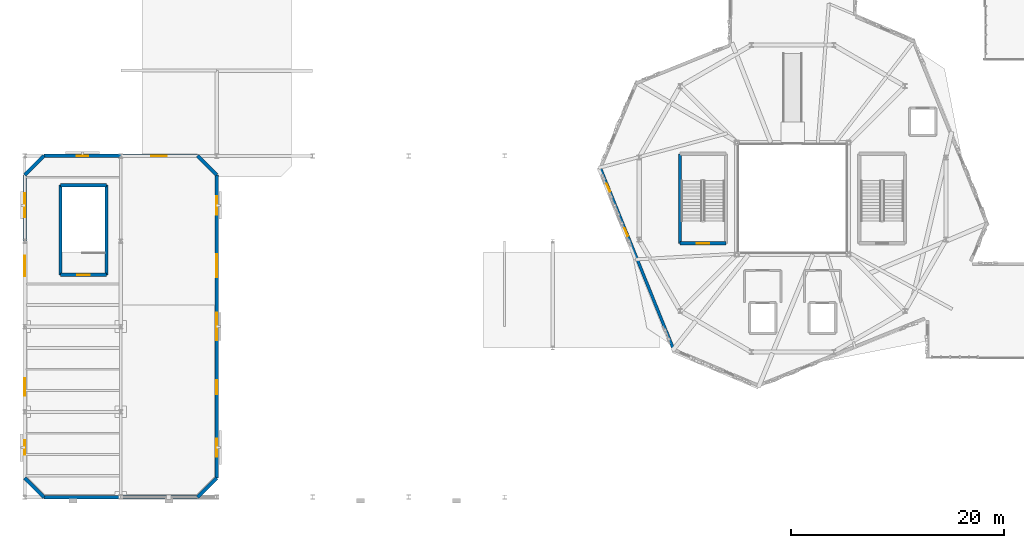
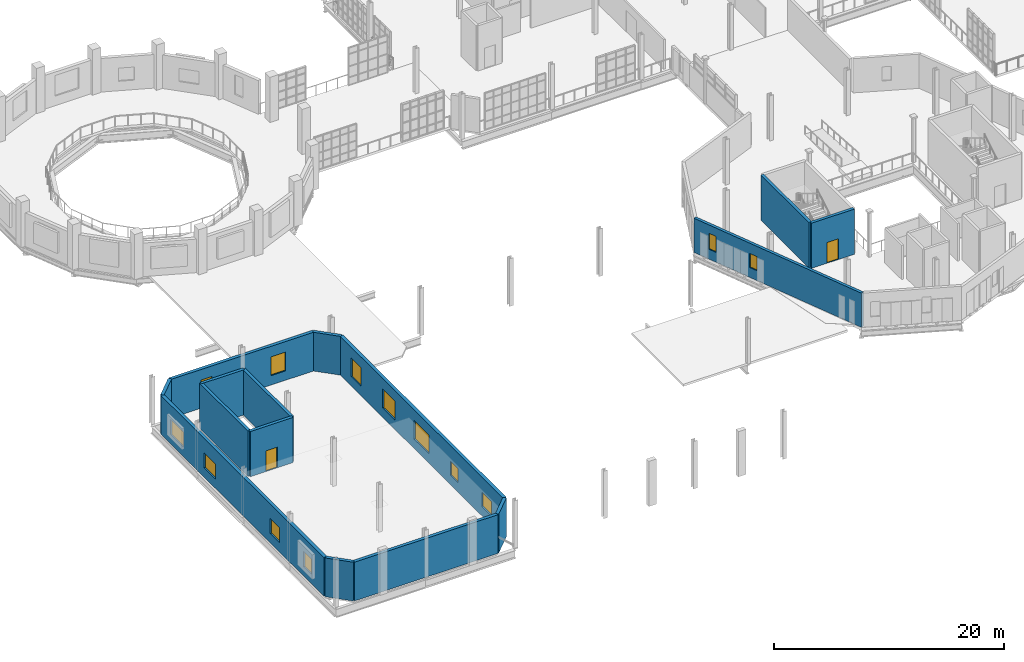
# One storey, part 97 of 122: 15 walls, 13 windows, 2 doors, 15 openings.
"""IFC4 building model written with IfcOpenShell, lengths in metres."""

from ifc_helpers import new_model, si_unit, direction, frame, frame_2d, origin, place, context, subcontext, project, spatial, rectangle, extrude, material, layer, layer_set, type_object, element, fill, save


model = new_model("IFC4")

# Units and contexts
model_context = context("Model", 3, precision=1e-05, world=origin(), true_north=direction((0.0, 1.0)))
body_context = subcontext(model_context, "Body", "Model", "MODEL_VIEW")
ifc_project = project(units=[si_unit("LENGTHUNIT", "METRE"), si_unit("AREAUNIT", "SQUARE_METRE"), si_unit("VOLUMEUNIT", "CUBIC_METRE"), si_unit("PLANEANGLEUNIT", "RADIAN"), si_unit("MASSUNIT", "GRAM", prefix="KILO"), si_unit("THERMODYNAMICTEMPERATUREUNIT", "KELVIN"), si_unit("POWERUNIT", "WATT")], contexts=[model_context])

# Site, building, storey
site_placement = place(None, origin())
site = spatial("IfcSite", under=ifc_project, at=site_placement, CompositionType="ELEMENT")
building_placement = place(site_placement, origin())
building = spatial("IfcBuilding", under=site, at=building_placement, Name="Zelmaris Science Centre", CompositionType="ELEMENT")
storey_placement = place(building_placement, frame((0.0, 0.0, 10.800048828125)))
storey = spatial("IfcBuildingStorey", under=building, at=storey_placement, Name="L02", CompositionType="ELEMENT", Elevation=10.800048828125)

# Wall, opening, door
ifc_material_1 = material(Name="Concrete C40/50", Category="concrete")
ifc_layer_1 = layer(ifc_material_1, 0.300048828125, Name="Concrete C40/50")
ifc_layer_set_1 = layer_set([ifc_layer_1], Name="Concrete C40/50")
wall_type_1 = type_object("IfcWallType", Name="Core Shear Wall CW-S1 300mm", PredefinedType="SOLIDWALL", material=ifc_layer_set_1)
wall_1_placement = place(storey_placement, frame((74.75, 31.800048828125, 0.0), z_axis=(0.0, 0.0, 1.0), x_axis=(-1.0, 0.0, 0.0)))
wall_1 = element("IfcWall", 1, at=wall_1_placement, inside=storey, type_object=wall_type_1, Name="L02 ST-1 core shear wall near", PredefinedType="SOLIDWALL", context=body_context, shape_type="SweptSolid", body=[
    extrude(rectangle(XDim=4.300048828125, YDim=0.300048828125, at=frame_2d((2.14990234375, 0.0))), origin(), (0.0, 0.0, 1.0), 4.800048828125),
])
opening_1_placement = place(wall_1_placement, frame((1.574951171875, 0.0, 0.0)))
opening_1 = element("IfcOpeningElement", 2, at=opening_1_placement, cuts=wall_1, Name="Opening D-FD90", PredefinedType="OPENING", context=body_context, shape_type="SweptSolid", body=[
    extrude(rectangle(XDim=1.14990234375, YDim=2.199951171875, at=frame_2d((0.574951171875, 1.10009765625))), frame((0.0, 0.159912109375, 0.0), z_axis=(0.0, -1.0, 0.0), x_axis=(1.0, 0.0, 0.0)), (0.0, 0.0, 1.0), 0.320068359375),
])
ifc_material_2 = material(Name="Steel ASTM A36", Category="steel")
door_type = type_object("IfcDoorType", Name="Interior Door D-FD90 1150x2200", OperationType="NOTDEFINED", PredefinedType="DOOR", material=ifc_material_2)
door_1_placement = place(opening_1_placement, origin())
door_1 = element("IfcDoor", 3, at=door_1_placement, inside=storey, type_object=door_type, Name="L02 ST-1 exit stair fire door", OperationType="SINGLE_SWING_RIGHT", OverallHeight=2.199951171875, OverallWidth=1.14990234375, PredefinedType="DOOR", context=body_context, shape_type="SweptSolid", body=[
    extrude(rectangle(XDim=1.14990234375, YDim=2.199951171875, at=frame_2d((0.574951171875, 1.10009765625))), frame((0.0, 0.02490234375, 0.0), z_axis=(0.0, -1.0, 0.0), x_axis=(1.0, 0.0, 0.0)), (0.0, 0.0, 1.0), 0.050048828125),
])
fill(opening_1, door_1)

# Wall
wall_2_placement = place(storey_placement, frame((70.449951171875, 31.800048828125, 0.0), z_axis=(0.0, 0.0, 1.0), x_axis=(0.0, 1.0, 0.0)))
element("IfcWall", 4, at=wall_2_placement, inside=storey, type_object=wall_type_1, Name="L02 ST-1 core shear wall west", PredefinedType="SOLIDWALL", context=body_context, shape_type="SweptSolid", body=[
    extrude(rectangle(XDim=8.39990234375, YDim=0.300048828125, at=frame_2d((4.199951171875, 0.0))), origin(), (0.0, 0.0, 1.0), 4.800048828125),
])

# Wall, opening, door
wall_3_placement = place(storey_placement, frame((16.64990234375, 28.85009765625, 0.0), z_axis=(0.0, 0.0, 1.0), x_axis=(-1.0, 0.0, 0.0)))
wall_3 = element("IfcWall", 5, at=wall_3_placement, inside=storey, type_object=wall_type_1, Name="L02 ST-6 core shear wall near", PredefinedType="SOLIDWALL", context=body_context, shape_type="SweptSolid", body=[
    extrude(rectangle(XDim=4.2998046875, YDim=0.300048828125, at=frame_2d((2.14990234375, 0.0))), origin(), (0.0, 0.0, 1.0), 4.800048828125),
])
opening_2_placement = place(wall_3_placement, frame((1.574951171875, 0.0, 0.0)))
opening_2 = element("IfcOpeningElement", 6, at=opening_2_placement, cuts=wall_3, Name="Opening D-FD90", PredefinedType="OPENING", context=body_context, shape_type="SweptSolid", body=[
    extrude(rectangle(XDim=1.14990234375, YDim=2.199951171875, at=frame_2d((0.574951171875, 1.10009765625))), frame((0.0, 0.159912109375, 0.0), z_axis=(0.0, -1.0, 0.0), x_axis=(1.0, 0.0, 0.0)), (0.0, 0.0, 1.0), 0.320068359375),
])
door_2_placement = place(opening_2_placement, origin())
door_2 = element("IfcDoor", 7, at=door_2_placement, inside=storey, type_object=door_type, Name="L02 ST-6 exit stair fire door", OperationType="SINGLE_SWING_LEFT", OverallHeight=2.199951171875, OverallWidth=1.14990234375, PredefinedType="DOOR", context=body_context, shape_type="SweptSolid", body=[
    extrude(rectangle(XDim=1.14990234375, YDim=2.199951171875, at=frame_2d((0.574951171875, 1.10009765625))), frame((0.0, 0.02490234375, 0.0), z_axis=(0.0, -1.0, 0.0), x_axis=(1.0, 0.0, 0.0)), (0.0, 0.0, 1.0), 0.050048828125),
])
fill(opening_2, door_2)

# Walls
wall_4_placement = place(storey_placement, frame((16.64990234375, 28.85009765625, 0.0), z_axis=(0.0, 0.0, 1.0), x_axis=(0.0, 1.0, 0.0)))
element("IfcWall", 8, at=wall_4_placement, inside=storey, type_object=wall_type_1, Name="L02 ST-6 core shear wall east", PredefinedType="SOLIDWALL", context=body_context, shape_type="SweptSolid", body=[
    extrude(rectangle(XDim=8.39990234375, YDim=0.300048828125, at=frame_2d((4.199951171875, 0.0))), origin(), (0.0, 0.0, 1.0), 4.800048828125),
])
wall_5_placement = place(storey_placement, frame((16.64990234375, 37.25, 0.0), z_axis=(0.0, 0.0, 1.0), x_axis=(-1.0, 0.0, 0.0)))
element("IfcWall", 9, at=wall_5_placement, inside=storey, type_object=wall_type_1, Name="L02 ST-6 core shear wall far", PredefinedType="SOLIDWALL", context=body_context, shape_type="SweptSolid", body=[
    extrude(rectangle(XDim=4.2998046875, YDim=0.300048828125, at=frame_2d((2.14990234375, 0.0))), origin(), (0.0, 0.0, 1.0), 4.800048828125),
])
wall_6_placement = place(storey_placement, frame((12.35009765625, 28.85009765625, 0.0), z_axis=(0.0, 0.0, 1.0), x_axis=(0.0, 1.0, 0.0)))
element("IfcWall", 10, at=wall_6_placement, inside=storey, type_object=wall_type_1, Name="L02 ST-6 core shear wall west", PredefinedType="SOLIDWALL", context=body_context, shape_type="SweptSolid", body=[
    extrude(rectangle(XDim=8.39990234375, YDim=0.300048828125, at=frame_2d((4.199951171875, 0.0))), origin(), (0.0, 0.0, 1.0), 4.800048828125),
])

# Wall, openings, windows
ifc_material_3 = material(Name="Precast concrete C40/50", Category="concrete")
ifc_layer_2 = layer(ifc_material_3, 0.320068359375, Name="Precast concrete C40/50")
ifc_layer_set_2 = layer_set([ifc_layer_2], Name="Precast concrete C40/50")
wall_type_2 = type_object("IfcWallType", Name="Exterior Wall EW-03 320mm", PredefinedType="SOLIDWALL", material=ifc_layer_set_2)
wall_7_placement = place(storey_placement, frame((9.0, 9.800048828125, 0.0), z_axis=(0.0, 0.0, 1.0), x_axis=(0.0, 1.0, 0.0)))
wall_7 = element("IfcWall", 11, at=wall_7_placement, inside=storey, type_object=wall_type_2, Name="L02 Exterior wall 110", PredefinedType="SOLIDWALL", context=body_context, shape_type="SweptSolid", body=[
    extrude(rectangle(XDim=28.39990234375, YDim=0.320068359375, at=frame_2d((14.199951171875, 0.0))), origin(), (0.0, 0.0, 1.0), 4.119873046875),
])
opening_3_placement = place(wall_7_placement, frame((2.1650390625, 0.0, 1.0)))
opening_3 = element("IfcOpeningElement", 12, at=opening_3_placement, cuts=wall_7, Name="Opening W-14", PredefinedType="OPENING", context=body_context, shape_type="SweptSolid", body=[
    extrude(rectangle(XDim=1.35009765625, YDim=1.60009765625, at=frame_2d((0.675048828125, 0.800048828125))), frame((0.0, 0.169921875, 0.0), z_axis=(0.0, -1.0, 0.0), x_axis=(1.0, 0.0, 0.0)), (0.0, 0.0, 1.0), 0.340087890625),
])
opening_4_placement = place(wall_7_placement, frame((7.695068359375, 0.0, 1.0)))
opening_4 = element("IfcOpeningElement", 13, at=opening_4_placement, cuts=wall_7, Name="Opening W-15", PredefinedType="OPENING", context=body_context, shape_type="SweptSolid", body=[
    extrude(rectangle(XDim=1.64990234375, YDim=1.60009765625, at=frame_2d((0.824951171875, 0.800048828125))), frame((0.0, 0.169921875, 0.0), z_axis=(0.0, -1.0, 0.0), x_axis=(1.0, 0.0, 0.0)), (0.0, 0.0, 1.0), 0.340087890625),
])
opening_5_placement = place(wall_7_placement, frame((18.905029296875, 0.0, 1.0)))
opening_5 = element("IfcOpeningElement", 14, at=opening_5_placement, cuts=wall_7, Name="Opening W-16", PredefinedType="OPENING", context=body_context, shape_type="SweptSolid", body=[
    extrude(rectangle(XDim=1.949951171875, YDim=1.60009765625, at=frame_2d((0.97509765625, 0.800048828125))), frame((0.0, 0.169921875, 0.0), z_axis=(0.0, -1.0, 0.0), x_axis=(1.0, 0.0, 0.0)), (0.0, 0.0, 1.0), 0.340087890625),
])
opening_6_placement = place(wall_7_placement, frame((24.434814453125, 0.0, 1.0)))
opening_6 = element("IfcOpeningElement", 15, at=opening_6_placement, cuts=wall_7, Name="Opening W-17", PredefinedType="OPENING", context=body_context, shape_type="SweptSolid", body=[
    extrude(rectangle(XDim=2.25, YDim=1.60009765625, at=frame_2d((1.125, 0.800048828125))), frame((0.0, 0.169921875, 0.0), z_axis=(0.0, -1.0, 0.0), x_axis=(1.0, 0.0, 0.0)), (0.0, 0.0, 1.0), 0.340087890625),
])
ifc_material_4 = material(Name="Laminated hurricane-rated low-E insulated glazing", Category="glass")
window_type_1 = type_object("IfcWindowType", Name="Window W-14 1350x1600", PartitioningType="SINGLE_PANEL", PredefinedType="WINDOW", material=ifc_material_4)
window_1_placement = place(opening_3_placement, origin())
window_1 = element("IfcWindow", 16, at=window_1_placement, inside=storey, type_object=window_type_1, Name="L02 Facade window 62", OverallHeight=1.60009765625, OverallWidth=1.35009765625, PartitioningType="SINGLE_PANEL", PredefinedType="WINDOW", context=body_context, shape_type="SweptSolid", body=[
    extrude(rectangle(XDim=1.35009765625, YDim=1.60009765625, at=frame_2d((0.675048828125, 0.800048828125))), frame((0.0, 0.030029296875, 0.0), z_axis=(0.0, -1.0, 0.0), x_axis=(1.0, 0.0, 0.0)), (0.0, 0.0, 1.0), 0.06005859375),
])
fill(opening_3, window_1)
window_type_2 = type_object("IfcWindowType", Name="Window W-15 1650x1600", PartitioningType="SINGLE_PANEL", PredefinedType="WINDOW", material=ifc_material_4)
window_2_placement = place(opening_4_placement, origin())
window_2 = element("IfcWindow", 17, at=window_2_placement, inside=storey, type_object=window_type_2, Name="L02 Facade window 63", OverallHeight=1.60009765625, OverallWidth=1.64990234375, PartitioningType="SINGLE_PANEL", PredefinedType="WINDOW", context=body_context, shape_type="SweptSolid", body=[
    extrude(rectangle(XDim=1.64990234375, YDim=1.60009765625, at=frame_2d((0.824951171875, 0.800048828125))), frame((0.0, 0.030029296875, 0.0), z_axis=(0.0, -1.0, 0.0), x_axis=(1.0, 0.0, 0.0)), (0.0, 0.0, 1.0), 0.06005859375),
])
fill(opening_4, window_2)
window_type_3 = type_object("IfcWindowType", Name="Window W-16 1950x1600", PartitioningType="SINGLE_PANEL", PredefinedType="WINDOW", material=ifc_material_4)
window_3_placement = place(opening_5_placement, origin())
window_3 = element("IfcWindow", 18, at=window_3_placement, inside=storey, type_object=window_type_3, Name="L02 Facade window 64", OverallHeight=1.60009765625, OverallWidth=1.949951171875, PartitioningType="SINGLE_PANEL", PredefinedType="WINDOW", context=body_context, shape_type="SweptSolid", body=[
    extrude(rectangle(XDim=1.949951171875, YDim=1.60009765625, at=frame_2d((0.97509765625, 0.800048828125))), frame((0.0, 0.030029296875, 0.0), z_axis=(0.0, -1.0, 0.0), x_axis=(1.0, 0.0, 0.0)), (0.0, 0.0, 1.0), 0.06005859375),
])
fill(opening_5, window_3)
window_type_4 = type_object("IfcWindowType", Name="Window W-17 2250x1600", PartitioningType="SINGLE_PANEL", PredefinedType="WINDOW", material=ifc_material_4)
window_4_placement = place(opening_6_placement, origin())
window_4 = element("IfcWindow", 19, at=window_4_placement, inside=storey, type_object=window_type_4, Name="L02 Facade window 65", OverallHeight=1.60009765625, OverallWidth=2.25, PartitioningType="SINGLE_PANEL", PredefinedType="WINDOW", context=body_context, shape_type="SweptSolid", body=[
    extrude(rectangle(XDim=2.25, YDim=1.60009765625, at=frame_2d((1.125, 0.800048828125))), frame((0.0, 0.030029296875, 0.0), z_axis=(0.0, -1.0, 0.0), x_axis=(1.0, 0.0, 0.0)), (0.0, 0.0, 1.0), 0.06005859375),
])
fill(opening_6, window_4)

# Wall
wall_8_placement = place(storey_placement, frame((9.0, 38.199951171875, 0.0), z_axis=(0.0, 0.0, 1.0), x_axis=(0.707106781187, 0.707106781187, 0.0)))
element("IfcWall", 20, at=wall_8_placement, inside=storey, type_object=wall_type_2, Name="L02 Exterior wall 111", PredefinedType="SOLIDWALL", context=body_context, shape_type="SweptSolid", body=[
    extrude(rectangle(XDim=2.545654296875, YDim=0.320068359375, at=frame_2d((1.27294921875, 0.0))), origin(), (0.0, 0.0, 1.0), 4.119873046875),
])

# Wall, openings, windows
wall_9_placement = place(storey_placement, frame((10.800048828125, 40.0, 0.0), z_axis=(0.0, 0.0, 1.0), x_axis=(1.0, 0.0, 0.0)))
wall_9 = element("IfcWall", 21, at=wall_9_placement, inside=storey, type_object=wall_type_2, Name="L02 Exterior wall 112", PredefinedType="SOLIDWALL", context=body_context, shape_type="SweptSolid", body=[
    extrude(rectangle(XDim=14.39990234375, YDim=0.320068359375, at=frame_2d((7.199951171875, 0.0))), origin(), (0.0, 0.0, 1.0), 4.119873046875),
])
opening_7_placement = place(wall_9_placement, frame((3.050048828125, 0.0, 1.0)))
opening_7 = element("IfcOpeningElement", 22, at=opening_7_placement, cuts=wall_9, Name="Opening W-18", PredefinedType="OPENING", context=body_context, shape_type="SweptSolid", body=[
    extrude(rectangle(XDim=1.10009765625, YDim=2.0, at=frame_2d((0.550048828125, 1.0))), frame((0.0, 0.169921875, 0.0), z_axis=(0.0, -1.0, 0.0), x_axis=(1.0, 0.0, 0.0)), (0.0, 0.0, 1.0), 0.340087890625),
])
opening_8_placement = place(wall_9_placement, frame((10.074951171875, 0.0, 1.0)))
opening_8 = element("IfcOpeningElement", 23, at=opening_8_placement, cuts=wall_9, Name="Opening W-19", PredefinedType="OPENING", context=body_context, shape_type="SweptSolid", body=[
    extrude(rectangle(XDim=1.449951171875, YDim=2.0, at=frame_2d((0.72509765625, 1.0))), frame((0.0, 0.169921875, 0.0), z_axis=(0.0, -1.0, 0.0), x_axis=(1.0, 0.0, 0.0)), (0.0, 0.0, 1.0), 0.340087890625),
])
window_type_5 = type_object("IfcWindowType", Name="Window W-18 1100x2000", PartitioningType="SINGLE_PANEL", PredefinedType="WINDOW", material=ifc_material_4)
window_5_placement = place(opening_7_placement, origin())
window_5 = element("IfcWindow", 24, at=window_5_placement, inside=storey, type_object=window_type_5, Name="L02 Facade window 66", OverallHeight=2.0, OverallWidth=1.10009765625, PartitioningType="SINGLE_PANEL", PredefinedType="WINDOW", context=body_context, shape_type="SweptSolid", body=[
    extrude(rectangle(XDim=1.10009765625, YDim=2.0, at=frame_2d((0.550048828125, 1.0))), frame((0.0, 0.030029296875, 0.0), z_axis=(0.0, -1.0, 0.0), x_axis=(1.0, 0.0, 0.0)), (0.0, 0.0, 1.0), 0.06005859375),
])
fill(opening_7, window_5)
window_type_6 = type_object("IfcWindowType", Name="Window W-19 1450x2000", PartitioningType="SINGLE_PANEL", PredefinedType="WINDOW", material=ifc_material_4)
window_6_placement = place(opening_8_placement, origin())
window_6 = element("IfcWindow", 25, at=window_6_placement, inside=storey, type_object=window_type_6, Name="L02 Facade window 67", OverallHeight=2.0, OverallWidth=1.449951171875, PartitioningType="SINGLE_PANEL", PredefinedType="WINDOW", context=body_context, shape_type="SweptSolid", body=[
    extrude(rectangle(XDim=1.449951171875, YDim=2.0, at=frame_2d((0.72509765625, 1.0))), frame((0.0, 0.030029296875, 0.0), z_axis=(0.0, -1.0, 0.0), x_axis=(1.0, 0.0, 0.0)), (0.0, 0.0, 1.0), 0.06005859375),
])
fill(opening_8, window_6)

# Wall
wall_10_placement = place(storey_placement, frame((25.199951171875, 40.0, 0.0), z_axis=(0.0, 0.0, 1.0), x_axis=(0.707106781187, -0.707106781187, 0.0)))
element("IfcWall", 26, at=wall_10_placement, inside=storey, type_object=wall_type_2, Name="L02 Exterior wall 113", PredefinedType="SOLIDWALL", context=body_context, shape_type="SweptSolid", body=[
    extrude(rectangle(XDim=2.545654296875, YDim=0.320068359375, at=frame_2d((1.27294921875, 0.0))), origin(), (0.0, 0.0, 1.0), 4.119873046875),
])

# Wall, openings, windows
wall_11_placement = place(storey_placement, frame((27.0, 38.199951171875, 0.0), z_axis=(0.0, 0.0, 1.0), x_axis=(0.0, -1.0, 0.0)))
wall_11 = element("IfcWall", 27, at=wall_11_placement, inside=storey, type_object=wall_type_2, Name="L02 Exterior wall 114", PredefinedType="SOLIDWALL", context=body_context, shape_type="SweptSolid", body=[
    extrude(rectangle(XDim=28.39990234375, YDim=0.320068359375, at=frame_2d((14.199951171875, 0.0))), origin(), (0.0, 0.0, 1.0), 4.119873046875),
])
opening_9_placement = place(wall_11_placement, frame((1.965087890625, 0.0, 1.0)))
opening_9 = element("IfcOpeningElement", 28, at=opening_9_placement, cuts=wall_11, Name="Opening W-20", PredefinedType="OPENING", context=body_context, shape_type="SweptSolid", body=[
    extrude(rectangle(XDim=1.75, YDim=2.0, at=frame_2d((0.875, 1.0))), frame((0.0, 0.169921875, 0.0), z_axis=(0.0, -1.0, 0.0), x_axis=(1.0, 0.0, 0.0)), (0.0, 0.0, 1.0), 0.340087890625),
])
opening_10_placement = place(wall_11_placement, frame((7.445068359375, 0.0, 1.0)))
opening_10 = element("IfcOpeningElement", 29, at=opening_10_placement, cuts=wall_11, Name="Opening W-21", PredefinedType="OPENING", context=body_context, shape_type="SweptSolid", body=[
    extrude(rectangle(XDim=2.14990234375, YDim=2.0, at=frame_2d((1.074951171875, 1.0))), frame((0.0, 0.169921875, 0.0), z_axis=(0.0, -1.0, 0.0), x_axis=(1.0, 0.0, 0.0)), (0.0, 0.0, 1.0), 0.340087890625),
])
opening_11_placement = place(wall_11_placement, frame((12.89990234375, 0.0, 1.0)))
opening_11 = element("IfcOpeningElement", 30, at=opening_11_placement, cuts=wall_11, Name="Opening W-22", PredefinedType="OPENING", context=body_context, shape_type="SweptSolid", body=[
    extrude(rectangle(XDim=2.60009765625, YDim=2.0, at=frame_2d((1.300048828125, 1.0))), frame((0.0, 0.169921875, 0.0), z_axis=(0.0, -1.0, 0.0), x_axis=(1.0, 0.0, 0.0)), (0.0, 0.0, 1.0), 0.340087890625),
])
opening_12_placement = place(wall_11_placement, frame((19.22998046875, 0.0, 1.0)))
opening_12 = element("IfcOpeningElement", 31, at=opening_12_placement, cuts=wall_11, Name="Opening W-23", PredefinedType="OPENING", context=body_context, shape_type="SweptSolid", body=[
    extrude(rectangle(XDim=1.300048828125, YDim=1.5, at=frame_2d((0.64990234375, 0.75))), frame((0.0, 0.169921875, 0.0), z_axis=(0.0, -1.0, 0.0), x_axis=(1.0, 0.0, 0.0)), (0.0, 0.0, 1.0), 0.340087890625),
])
opening_13_placement = place(wall_11_placement, frame((24.7099609375, 0.0, 1.0)))
opening_13 = element("IfcOpeningElement", 32, at=opening_13_placement, cuts=wall_11, Name="Opening W-24", PredefinedType="OPENING", context=body_context, shape_type="SweptSolid", body=[
    extrude(rectangle(XDim=1.699951171875, YDim=1.5, at=frame_2d((0.85009765625, 0.75))), frame((0.0, 0.169921875, 0.0), z_axis=(0.0, -1.0, 0.0), x_axis=(1.0, 0.0, 0.0)), (0.0, 0.0, 1.0), 0.340087890625),
])
window_type_7 = type_object("IfcWindowType", Name="Window W-20 1750x2000", PartitioningType="SINGLE_PANEL", PredefinedType="WINDOW", material=ifc_material_4)
window_7_placement = place(opening_9_placement, origin())
window_7 = element("IfcWindow", 33, at=window_7_placement, inside=storey, type_object=window_type_7, Name="L02 Facade window 68", OverallHeight=2.0, OverallWidth=1.75, PartitioningType="SINGLE_PANEL", PredefinedType="WINDOW", context=body_context, shape_type="SweptSolid", body=[
    extrude(rectangle(XDim=1.75, YDim=2.0, at=frame_2d((0.875, 1.0))), frame((0.0, 0.030029296875, 0.0), z_axis=(0.0, -1.0, 0.0), x_axis=(1.0, 0.0, 0.0)), (0.0, 0.0, 1.0), 0.06005859375),
])
fill(opening_9, window_7)
window_type_8 = type_object("IfcWindowType", Name="Window W-21 2150x2000", PartitioningType="SINGLE_PANEL", PredefinedType="WINDOW", material=ifc_material_4)
window_8_placement = place(opening_10_placement, origin())
window_8 = element("IfcWindow", 34, at=window_8_placement, inside=storey, type_object=window_type_8, Name="L02 Facade window 69", OverallHeight=2.0, OverallWidth=2.14990234375, PartitioningType="SINGLE_PANEL", PredefinedType="WINDOW", context=body_context, shape_type="SweptSolid", body=[
    extrude(rectangle(XDim=2.14990234375, YDim=2.0, at=frame_2d((1.074951171875, 1.0))), frame((0.0, 0.030029296875, 0.0), z_axis=(0.0, -1.0, 0.0), x_axis=(1.0, 0.0, 0.0)), (0.0, 0.0, 1.0), 0.06005859375),
])
fill(opening_10, window_8)
window_type_9 = type_object("IfcWindowType", Name="Window W-22 2600x2000", PartitioningType="SINGLE_PANEL", PredefinedType="WINDOW", material=ifc_material_4)
window_9_placement = place(opening_11_placement, origin())
window_9 = element("IfcWindow", 35, at=window_9_placement, inside=storey, type_object=window_type_9, Name="L02 Facade window 70", OverallHeight=2.0, OverallWidth=2.60009765625, PartitioningType="SINGLE_PANEL", PredefinedType="WINDOW", context=body_context, shape_type="SweptSolid", body=[
    extrude(rectangle(XDim=2.60009765625, YDim=2.0, at=frame_2d((1.300048828125, 1.0))), frame((0.0, 0.030029296875, 0.0), z_axis=(0.0, -1.0, 0.0), x_axis=(1.0, 0.0, 0.0)), (0.0, 0.0, 1.0), 0.06005859375),
])
fill(opening_11, window_9)
window_type_10 = type_object("IfcWindowType", Name="Window W-23 1300x1500", PartitioningType="SINGLE_PANEL", PredefinedType="WINDOW", material=ifc_material_4)
window_10_placement = place(opening_12_placement, origin())
window_10 = element("IfcWindow", 36, at=window_10_placement, inside=storey, type_object=window_type_10, Name="L02 Facade window 71", OverallHeight=1.5, OverallWidth=1.300048828125, PartitioningType="SINGLE_PANEL", PredefinedType="WINDOW", context=body_context, shape_type="SweptSolid", body=[
    extrude(rectangle(XDim=1.300048828125, YDim=1.5, at=frame_2d((0.64990234375, 0.75))), frame((0.0, 0.030029296875, 0.0), z_axis=(0.0, -1.0, 0.0), x_axis=(1.0, 0.0, 0.0)), (0.0, 0.0, 1.0), 0.06005859375),
])
fill(opening_12, window_10)
window_type_11 = type_object("IfcWindowType", Name="Window W-24 1700x1500", PartitioningType="SINGLE_PANEL", PredefinedType="WINDOW", material=ifc_material_4)
window_11_placement = place(opening_13_placement, origin())
window_11 = element("IfcWindow", 37, at=window_11_placement, inside=storey, type_object=window_type_11, Name="L02 Facade window 72", OverallHeight=1.5, OverallWidth=1.699951171875, PartitioningType="SINGLE_PANEL", PredefinedType="WINDOW", context=body_context, shape_type="SweptSolid", body=[
    extrude(rectangle(XDim=1.699951171875, YDim=1.5, at=frame_2d((0.85009765625, 0.75))), frame((0.0, 0.030029296875, 0.0), z_axis=(0.0, -1.0, 0.0), x_axis=(1.0, 0.0, 0.0)), (0.0, 0.0, 1.0), 0.06005859375),
])
fill(opening_13, window_11)

# Walls
wall_12_placement = place(storey_placement, frame((27.0, 9.800048828125, 0.0), z_axis=(0.0, 0.0, 1.0), x_axis=(-0.707106781187, -0.707106781187, 0.0)))
element("IfcWall", 38, at=wall_12_placement, inside=storey, type_object=wall_type_2, Name="L02 Exterior wall 115", PredefinedType="SOLIDWALL", context=body_context, shape_type="SweptSolid", body=[
    extrude(rectangle(XDim=2.545654296875, YDim=0.320068359375, at=frame_2d((1.27294921875, 0.0))), origin(), (0.0, 0.0, 1.0), 4.119873046875),
])
wall_13_placement = place(storey_placement, frame((25.199951171875, 8.0, 0.0), z_axis=(0.0, 0.0, 1.0), x_axis=(-1.0, 0.0, 0.0)))
element("IfcWall", 39, at=wall_13_placement, inside=storey, type_object=wall_type_2, Name="L02 Exterior wall 116", PredefinedType="SOLIDWALL", context=body_context, shape_type="SweptSolid", body=[
    extrude(rectangle(XDim=14.3984375, YDim=0.320068359375, at=frame_2d((7.19921875, 0.0))), origin(), (0.0, 0.0, 1.0), 4.119873046875),
])
wall_14_placement = place(storey_placement, frame((10.801513671875, 8.0, 0.0), z_axis=(0.0, 0.0, 1.0), x_axis=(-0.707394320337, 0.706819125063, 0.0)))
element("IfcWall", 40, at=wall_14_placement, inside=storey, type_object=wall_type_2, Name="L02 Exterior wall 117", PredefinedType="SOLIDWALL", context=body_context, shape_type="SweptSolid", body=[
    extrude(rectangle(XDim=2.546630859375, YDim=0.320068359375, at=frame_2d((1.2734375, 0.0))), origin(), (0.0, 0.0, 1.0), 4.119873046875),
])

# Wall, openings, windows
ifc_layer_3 = layer(ifc_material_3, 0.280029296875, Name="Precast concrete C40/50")
ifc_layer_set_3 = layer_set([ifc_layer_3], Name="Precast concrete C40/50")
wall_type_3 = type_object("IfcWallType", Name="Exterior Wall EW-05 280mm", PredefinedType="SOLIDWALL", material=ifc_layer_set_3)
wall_15_placement = place(storey_placement, frame((69.87109375, 21.775146484375, 0.0), z_axis=(0.0, 0.0, 1.0), x_axis=(-0.37460574737, 0.927184196391, 0.0)))
wall_15 = element("IfcWall", 41, at=wall_15_placement, inside=storey, type_object=wall_type_3, Name="L02 Exterior wall 91", PredefinedType="SOLIDWALL", context=body_context, shape_type="SweptSolid", body=[
    extrude(rectangle(XDim=18.5, YDim=0.280029296875, at=frame_2d((9.25, 0.0))), origin(), (0.0, 0.0, 1.0), 3.634033203125),
])
opening_14_placement = place(wall_15_placement, frame((11.550048828125, 0.0, 1.050048828125)))
opening_14 = element("IfcOpeningElement", 42, at=opening_14_placement, cuts=wall_15, Name="Opening W-TR1", PredefinedType="OPENING", context=body_context, shape_type="SweptSolid", body=[
    extrude(rectangle(XDim=0.800048828125, YDim=1.5, at=frame_2d((0.39990234375, 0.75))), frame((0.0, 0.14990234375, 0.0), z_axis=(0.0, -1.0, 0.0), x_axis=(1.0, 0.0, 0.0)), (0.0, 0.0, 1.0), 0.300048828125),
])
opening_15_placement = place(wall_15_placement, frame((16.050048828125, 0.0, 1.050048828125)))
opening_15 = element("IfcOpeningElement", 43, at=opening_15_placement, cuts=wall_15, Name="Opening W-TR2", PredefinedType="OPENING", context=body_context, shape_type="SweptSolid", body=[
    extrude(rectangle(XDim=0.800048828125, YDim=1.699951171875, at=frame_2d((0.39990234375, 0.85009765625))), frame((0.0, 0.14990234375, 0.0), z_axis=(0.0, -1.0, 0.0), x_axis=(1.0, 0.0, 0.0)), (0.0, 0.0, 1.0), 0.300048828125),
])
window_type_12 = type_object("IfcWindowType", Name="Window W-TR1 800x1500", PartitioningType="SINGLE_PANEL", PredefinedType="WINDOW", material=ifc_material_4)
window_12_placement = place(opening_14_placement, origin())
window_12 = element("IfcWindow", 44, at=window_12_placement, inside=storey, type_object=window_type_12, Name="L02 Triangular faceted window 46", OverallHeight=1.5, OverallWidth=0.800048828125, PartitioningType="SINGLE_PANEL", PredefinedType="WINDOW", context=body_context, shape_type="SweptSolid", body=[
    extrude(rectangle(XDim=0.800048828125, YDim=1.5, at=frame_2d((0.39990234375, 0.75))), frame((0.0, 0.030029296875, 0.0), z_axis=(0.0, -1.0, 0.0), x_axis=(1.0, 0.0, 0.0)), (0.0, 0.0, 1.0), 0.06005859375),
])
fill(opening_14, window_12)
window_type_13 = type_object("IfcWindowType", Name="Window W-TR2 800x1700", PartitioningType="SINGLE_PANEL", PredefinedType="WINDOW", material=ifc_material_4)
window_13_placement = place(opening_15_placement, origin())
window_13 = element("IfcWindow", 45, at=window_13_placement, inside=storey, type_object=window_type_13, Name="L02 Triangular faceted window 47", OverallHeight=1.699951171875, OverallWidth=0.800048828125, PartitioningType="SINGLE_PANEL", PredefinedType="WINDOW", context=body_context, shape_type="SweptSolid", body=[
    extrude(rectangle(XDim=0.800048828125, YDim=1.699951171875, at=frame_2d((0.39990234375, 0.85009765625))), frame((0.0, 0.030029296875, 0.0), z_axis=(0.0, -1.0, 0.0), x_axis=(1.0, 0.0, 0.0)), (0.0, 0.0, 1.0), 0.06005859375),
])
fill(opening_15, window_13)

save(model, "model.ifc")
